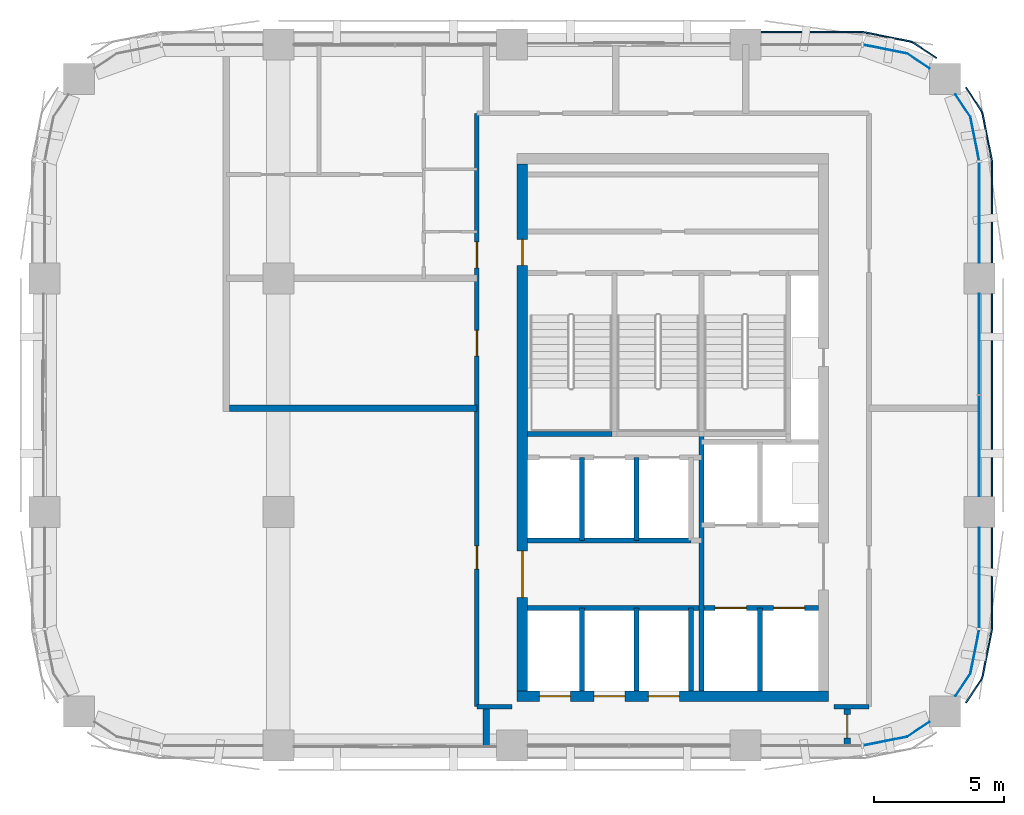
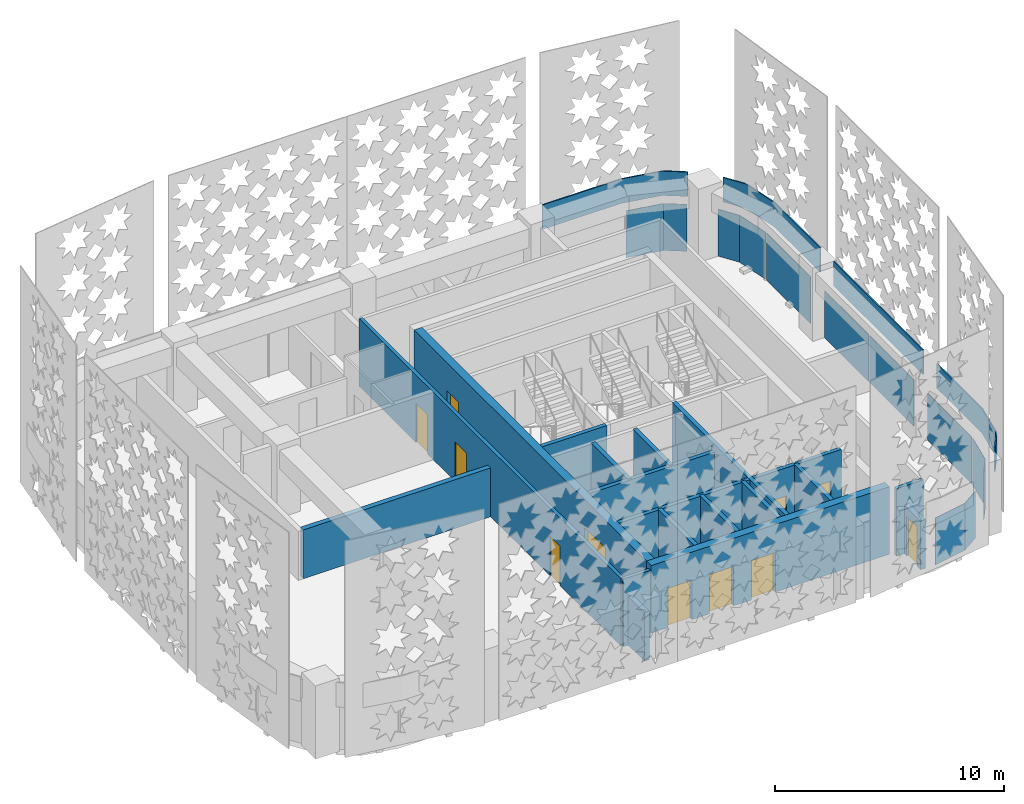
# One storey, part 7 of 15: 18 walls, 12 plates, 11 doors, 11 openings, 5 elements without a shape of their own.
"""IFC4 building model written with IfcOpenShell, lengths in metres."""

from ifc_helpers import new_model, si_unit, direction, frame, frame_2d, origin, origin_2d, place, context, subcontext, project, spatial, polyline, rectangle, outline, extrude, material, layer, layer_set, type_object, element, fill, aggregate, save


model = new_model("IFC4")

# Units and contexts
model_context = context("Model", 3, precision=1e-05, world=origin(), true_north=direction((0.0, 1.0)))
body_context = subcontext(model_context, "Body", "Model", "MODEL_VIEW")
ifc_project = project(units=[si_unit("LENGTHUNIT", "METRE"), si_unit("AREAUNIT", "SQUARE_METRE"), si_unit("VOLUMEUNIT", "CUBIC_METRE"), si_unit("PLANEANGLEUNIT", "RADIAN"), si_unit("MASSUNIT", "GRAM", prefix="KILO")], contexts=[model_context])

# Site, building, storey
site_placement = place(None, origin())
site = spatial("IfcSite", under=ifc_project, at=site_placement, CompositionType="ELEMENT")
building_placement = place(site_placement, origin())
building = spatial("IfcBuilding", under=site, at=building_placement, Name="Tessera Arch", CompositionType="ELEMENT")
storey_placement = place(building_placement, frame((0.0, 0.0, 257.89990234375)))
storey = spatial("IfcBuildingStorey", under=building, at=storey_placement, Name="L62", CompositionType="ELEMENT", Elevation=257.89990234375)

# Curtain wall, plates
ifc_material_1 = material(Name="CW1 curtain wall")
curtain_wall_type_1 = type_object("IfcCurtainWallType", Name="CW1 curtain wall", PredefinedType="NOTDEFINED", material=ifc_material_1)
curtain_wall_1_placement = place(storey_placement, origin())
curtain_wall_1 = element("IfcCurtainWall", 1, at=curtain_wall_1_placement, inside=storey, type_object=curtain_wall_type_1, Name="CW1 curtain wall E54.27/0 L62", PredefinedType="NOTDEFINED")
ifc_material_2 = material(Name="Clear low-e glass", Category="glass")
ifc_material_3 = material(Name="Clear low-e glass", Category="glass")
ifc_layer_1 = layer(ifc_material_3, 0.028076171875)
ifc_layer_set_1 = layer_set([ifc_layer_1], Name="CW1 glass panel")
plate_type_1 = type_object("IfcPlateType", Name="CW1 glass panel", PredefinedType="CURTAIN_PANEL", material=ifc_layer_set_1)
plate_1_placement = place(storey_placement, frame((54.0, 38.534912109375, 0.0), z_axis=(0.0, 0.0, 1.0), x_axis=(0.0, 1.0, 0.0)))
plate_1 = element("IfcPlate", 2, at=plate_1_placement, type_object=plate_type_1, material=ifc_material_2, Name="CW1 glass panel E54.27/0 1.1.1", PredefinedType="CURTAIN_PANEL", context=body_context, shape_type="SweptSolid", body=[
    extrude(rectangle(XDim=3.8701171875, YDim=0.028076171875, at=origin_2d()), origin(), (0.0, 0.0, 1.0), 2.5),
])
plate_2_placement = place(storey_placement, frame((54.0, 42.465087890625, 0.0), z_axis=(0.0, 0.0, 1.0), x_axis=(0.0, 1.0, 0.0)))
plate_2 = element("IfcPlate", 3, at=plate_2_placement, type_object=plate_type_1, material=ifc_material_2, Name="CW1 glass panel E54.27/0 1.2.1", PredefinedType="CURTAIN_PANEL", context=body_context, shape_type="SweptSolid", body=[
    extrude(rectangle(XDim=3.8701171875, YDim=0.028076171875, at=origin_2d()), origin(), (0.0, 0.0, 1.0), 2.5),
])
ifc_material_4 = material(Name="Pale anodised aluminium panel", Category="aluminium")
ifc_layer_2 = layer(ifc_material_4, 0.06005859375)
ifc_layer_set_2 = layer_set([ifc_layer_2], Name="CW1 spandrel panel")
plate_type_2 = type_object("IfcPlateType", Name="CW1 spandrel panel", PredefinedType="CURTAIN_PANEL", material=ifc_layer_set_2)
plate_3_placement = place(storey_placement, frame((54.47998046875, 40.5, 2.60009765625), z_axis=(0.0, 0.0, 1.0), x_axis=(0.0, 1.0, 0.0)))
plate_3 = element("IfcPlate", 4, at=plate_3_placement, type_object=plate_type_2, Name="CW1 spandrel panel E54.27/0", PredefinedType="CURTAIN_PANEL", context=body_context, shape_type="SweptSolid", body=[
    extrude(rectangle(XDim=7.800048828125, YDim=0.06005859375, at=origin_2d()), origin(), (0.0, 0.0, 1.0), 1.300048828125),
])
aggregate(curtain_wall_1, [plate_1, plate_2, plate_3])

ifc_material_5 = material(Name="CW2 curtain wall")
curtain_wall_type_2 = type_object("IfcCurtainWallType", Name="CW2 curtain wall", PredefinedType="NOTDEFINED", material=ifc_material_5)
curtain_wall_2_placement = place(storey_placement, origin())
curtain_wall_2 = element("IfcCurtainWall", 5, at=curtain_wall_2_placement, inside=storey, type_object=curtain_wall_type_2, Name="CW2 curtain wall E54.27/1 L62", PredefinedType="NOTDEFINED")
ifc_material_6 = material(Name="Clear low-e glass", Category="glass")
ifc_layer_3 = layer(ifc_material_6, 0.028076171875)
ifc_layer_set_3 = layer_set([ifc_layer_3], Name="CW2 glass panel")
plate_type_3 = type_object("IfcPlateType", Name="CW2 glass panel", PredefinedType="CURTAIN_PANEL", material=ifc_layer_set_3)
plate_4_placement = place(storey_placement, frame((54.0, 47.530029296875, 0.0), z_axis=(0.0, 0.0, 1.0), x_axis=(0.0, 1.0, 0.0)))
plate_4 = element("IfcPlate", 6, at=plate_4_placement, type_object=plate_type_3, material=ifc_material_2, Name="CW2 glass panel E54.27/1 1.1", PredefinedType="CURTAIN_PANEL", context=body_context, shape_type="SweptSolid", body=[
    extrude(rectangle(XDim=3.860107421875, YDim=0.028076171875, at=origin_2d()), origin(), (0.0, 0.0, 1.0), 2.5),
])
plate_5_placement = place(storey_placement, origin())
plate_5 = element("IfcPlate", 7, at=plate_5_placement, type_object=plate_type_3, material=ifc_material_2, Name="CW2 curved glass panel E54.27/1 2.1", PredefinedType="CURTAIN_PANEL", context=body_context, shape_type="SweptSolid", body=[
    extrude(outline(polyline([(53.644287109375, 51.216552734375), (53.978515625, 49.53662109375), (54.005859375, 49.5419921875), (53.670654296875, 51.2275390625), (53.094482421875, 52.08984375), (53.0712890625, 52.07421875), (53.644287109375, 51.216552734375)])), origin(), (0.0, 0.0, 1.0), 2.5),
])

# Curtain wall, plate
curtain_wall_3_placement = place(storey_placement, origin())
curtain_wall_3 = element("IfcCurtainWall", 8, at=curtain_wall_3_placement, inside=storey, type_object=curtain_wall_type_2, Name="CW2 curtain wall N54.18/0 L62", PredefinedType="NOTDEFINED")
plate_6_placement = place(storey_placement, origin())
plate_6 = element("IfcPlate", 9, at=plate_6_placement, type_object=plate_type_3, material=ifc_material_2, Name="CW2 curved glass panel N54.18/0 2.1", PredefinedType="CURTAIN_PANEL", context=body_context, shape_type="SweptSolid", body=[
    extrude(outline(polyline([(51.216552734375, 53.644287109375), (52.07421875, 53.0712890625), (52.08984375, 53.094482421875), (51.2275390625, 53.670654296875), (49.5419921875, 54.005859375), (49.53662109375, 53.978515625), (51.216552734375, 53.644287109375)])), origin(), (0.0, 0.0, 1.0), 2.5),
])

curtain_wall_4_placement = place(storey_placement, origin())
curtain_wall_4 = element("IfcCurtainWall", 10, at=curtain_wall_4_placement, inside=storey, type_object=curtain_wall_type_2, Name="CW2 curtain wall S27.18/3 L62", PredefinedType="NOTDEFINED")
plate_7_placement = place(storey_placement, origin())
plate_7 = element("IfcPlate", 11, at=plate_7_placement, type_object=plate_type_3, material=ifc_material_2, Name="CW2 curved glass panel S27.18/3 2.1", PredefinedType="CURTAIN_PANEL", context=body_context, shape_type="SweptSolid", body=[
    extrude(outline(polyline([(51.216552734375, 27.355712890625), (49.53662109375, 27.021484375), (49.5419921875, 26.994140625), (51.2275390625, 27.329345703125), (52.08984375, 27.905517578125), (52.07421875, 27.9287109375), (51.216552734375, 27.355712890625)])), origin(), (0.0, 0.0, 1.0), 2.5),
])
aggregate(curtain_wall_4, [plate_7])

# Curtain wall, plates
curtain_wall_5_placement = place(storey_placement, origin())
curtain_wall_5 = element("IfcCurtainWall", 12, at=curtain_wall_5_placement, inside=storey, type_object=curtain_wall_type_2, Name="CW2 curtain wall E54.27/2 L62", PredefinedType="NOTDEFINED")
plate_8_placement = place(storey_placement, frame((54.0, 33.469970703125, 0.0), z_axis=(0.0, 0.0, 1.0), x_axis=(0.0, 1.0, 0.0)))
plate_8 = element("IfcPlate", 13, at=plate_8_placement, type_object=plate_type_3, material=ifc_material_2, Name="CW2 glass panel E54.27/2 1.1", PredefinedType="CURTAIN_PANEL", context=body_context, shape_type="SweptSolid", body=[
    extrude(rectangle(XDim=3.860107421875, YDim=0.028076171875, at=origin_2d()), origin(), (0.0, 0.0, 1.0), 2.5),
])
plate_9_placement = place(storey_placement, origin())
plate_9 = element("IfcPlate", 14, at=plate_9_placement, type_object=plate_type_3, material=ifc_material_2, Name="CW2 curved glass panel E54.27/2 2.1", PredefinedType="CURTAIN_PANEL", context=body_context, shape_type="SweptSolid", body=[
    extrude(outline(polyline([(53.644287109375, 29.783447265625), (53.0712890625, 28.92578125), (53.094482421875, 28.91015625), (53.670654296875, 29.7724609375), (54.005859375, 31.4580078125), (53.978515625, 31.46337890625), (53.644287109375, 29.783447265625)])), origin(), (0.0, 0.0, 1.0), 2.5),
])

# Plate
ifc_material_7 = material(Name="Pale anodised aluminium panel", Category="aluminium")
ifc_layer_4 = layer(ifc_material_7, 0.06005859375)
ifc_layer_set_4 = layer_set([ifc_layer_4], Name="CW2 spandrel panel")
plate_type_4 = type_object("IfcPlateType", Name="CW2 spandrel panel", PredefinedType="CURTAIN_PANEL", material=ifc_layer_set_4)
plate_10_placement = place(storey_placement, frame((0.0, 0.0, 2.60009765625)))
plate_10 = element("IfcPlate", 15, at=plate_10_placement, type_object=plate_type_4, Name="CW2 spandrel panel E54.27/1", PredefinedType="CURTAIN_PANEL", context=body_context, shape_type="SweptSolid", body=[
    extrude(outline(polyline([(54.449951171875, 49.499267578125), (54.449951171875, 45.60009765625), (54.510009765625, 45.60009765625), (54.510009765625, 49.500732421875), (54.507568359375, 49.550048828125), (54.500244140625, 49.598876953125), (54.157470703125, 51.322265625), (54.1455078125, 51.3701171875), (54.128662109375, 51.417236328125), (54.107421875, 51.462646484375), (54.08203125, 51.5048828125), (53.5068359375, 52.365234375), (53.45703125, 52.33203125), (54.03125, 51.47265625), (54.054443359375, 51.434326171875), (54.0732421875, 51.394287109375), (54.088134765625, 51.352783203125), (54.09912109375, 51.30908203125), (54.441162109375, 49.588623046875), (54.44775390625, 49.544189453125), (54.449951171875, 49.499267578125)])), origin(), (0.0, 0.0, 1.0), 1.300048828125),
])

aggregate(curtain_wall_2, [plate_4, plate_5, plate_10])

plate_11_placement = place(storey_placement, frame((0.0, 0.0, 2.60009765625)))
plate_11 = element("IfcPlate", 16, at=plate_11_placement, type_object=plate_type_4, Name="CW2 spandrel panel N54.18/0", PredefinedType="CURTAIN_PANEL", context=body_context, shape_type="SweptSolid", body=[
    extrude(outline(polyline([(51.47265625, 54.03125), (52.33203125, 53.45703125), (52.365234375, 53.5068359375), (51.5048828125, 54.08203125), (51.462646484375, 54.107421875), (51.417236328125, 54.128662109375), (51.3701171875, 54.1455078125), (51.322265625, 54.157470703125), (49.598876953125, 54.500244140625), (49.550048828125, 54.507568359375), (49.500732421875, 54.510009765625), (45.60009765625, 54.510009765625), (45.60009765625, 54.449951171875), (49.499267578125, 54.449951171875), (49.544189453125, 54.44775390625), (49.588623046875, 54.441162109375), (51.30908203125, 54.09912109375), (51.352783203125, 54.088134765625), (51.394287109375, 54.0732421875), (51.434326171875, 54.054443359375), (51.47265625, 54.03125)])), origin(), (0.0, 0.0, 1.0), 1.300048828125),
])

aggregate(curtain_wall_3, [plate_6, plate_11])

plate_12_placement = place(storey_placement, frame((0.0, 0.0, 2.60009765625)))
plate_12 = element("IfcPlate", 17, at=plate_12_placement, type_object=plate_type_4, Name="CW2 spandrel panel E54.27/2", PredefinedType="CURTAIN_PANEL", context=body_context, shape_type="SweptSolid", body=[
    extrude(outline(polyline([(54.03125, 29.52734375), (53.45703125, 28.66796875), (53.5068359375, 28.634765625), (54.08203125, 29.4951171875), (54.107421875, 29.537353515625), (54.128662109375, 29.582763671875), (54.1455078125, 29.6298828125), (54.157470703125, 29.677734375), (54.500244140625, 31.401123046875), (54.507568359375, 31.449951171875), (54.510009765625, 31.499267578125), (54.510009765625, 35.39990234375), (54.449951171875, 35.39990234375), (54.449951171875, 31.500732421875), (54.44775390625, 31.455810546875), (54.441162109375, 31.411376953125), (54.09912109375, 29.69091796875), (54.088134765625, 29.647216796875), (54.0732421875, 29.605712890625), (54.054443359375, 29.565673828125), (54.03125, 29.52734375)])), origin(), (0.0, 0.0, 1.0), 1.300048828125),
])

aggregate(curtain_wall_5, [plate_8, plate_9, plate_12])

# Wall, openings, doors
ifc_material_8 = material(Name="Concrete C50/60", Category="concrete")
ifc_layer_5 = layer(ifc_material_8, 0.39990234375)
ifc_layer_set_5 = layer_set([ifc_layer_5], Name="Core shell wall 400 C50-60")
wall_type_1 = type_object("IfcWallType", Name="Core shell wall 400 C50-60", PredefinedType="SHEAR", material=ifc_layer_set_5)
wall_1_placement = place(storey_placement, frame((36.199951171875, 28.89990234375, 0.0), z_axis=(0.0, 0.0, 1.0), x_axis=(1.0, 0.0, 0.0)))
wall_1 = element("IfcWall", 18, at=wall_1_placement, inside=storey, type_object=wall_type_1, Name="L62 C1 core wall S", PredefinedType="SHEAR", context=body_context, shape_type="SweptSolid", body=[
    extrude(rectangle(XDim=12.0, YDim=0.39990234375, at=frame_2d((6.0, 0.0))), origin(), (0.0, 0.0, 1.0), 3.60009765625),
])
opening_1_placement = place(wall_1_placement, frame((0.85009765625, 0.0, 0.0)))
opening_1 = element("IfcOpeningElement", 19, at=opening_1_placement, cuts=wall_1, Name="Opening L62-C01", PredefinedType="OPENING", context=body_context, shape_type="SweptSolid", body=[
    extrude(rectangle(XDim=1.199951171875, YDim=2.10009765625, at=frame_2d((0.60009765625, 1.050048828125))), frame((0.0, 0.2099609375, 0.0), z_axis=(0.0, -1.0, 0.0), x_axis=(1.0, 0.0, 0.0)), (0.0, 0.0, 1.0), 0.419921875),
])
opening_2_placement = place(wall_1_placement, frame((2.949951171875, 0.0, 0.0)))
opening_2 = element("IfcOpeningElement", 20, at=opening_2_placement, cuts=wall_1, Name="Opening L62-C03", PredefinedType="OPENING", context=body_context, shape_type="SweptSolid", body=[
    extrude(rectangle(XDim=1.199951171875, YDim=2.10009765625, at=frame_2d((0.60009765625, 1.050048828125))), frame((0.0, 0.2099609375, 0.0), z_axis=(0.0, -1.0, 0.0), x_axis=(1.0, 0.0, 0.0)), (0.0, 0.0, 1.0), 0.419921875),
])
opening_3_placement = place(wall_1_placement, frame((5.050048828125, 0.0, 0.0)))
opening_3 = element("IfcOpeningElement", 21, at=opening_3_placement, cuts=wall_1, Name="Opening L62-C05", PredefinedType="OPENING", context=body_context, shape_type="SweptSolid", body=[
    extrude(rectangle(XDim=1.199951171875, YDim=2.10009765625, at=frame_2d((0.60009765625, 1.050048828125))), frame((0.0, 0.2099609375, 0.0), z_axis=(0.0, -1.0, 0.0), x_axis=(1.0, 0.0, 0.0)), (0.0, 0.0, 1.0), 0.419921875),
])
ifc_material_9 = material(Name="Stainless steel AISI 304", Category="steel")
door_type_1 = type_object("IfcDoorType", Name="Sliding landing door 1200 x 2100", OperationType="SLIDING_TO_LEFT", PredefinedType="DOOR", material=ifc_material_9)
door_1_placement = place(opening_1_placement, origin())
door_1 = element("IfcDoor", 22, at=door_1_placement, inside=storey, type_object=door_type_1, Name="L62 HR1 lift landing door C01 type LD", OperationType="SLIDING_TO_LEFT", OverallHeight=2.10009765625, OverallWidth=1.199951171875, PredefinedType="DOOR", context=body_context, shape_type="SweptSolid", body=[
    extrude(rectangle(XDim=1.199951171875, YDim=2.10009765625, at=frame_2d((0.60009765625, 1.050048828125))), frame((0.0, 0.02490234375, 0.0), z_axis=(0.0, -1.0, 0.0), x_axis=(1.0, 0.0, 0.0)), (0.0, 0.0, 1.0), 0.050048828125),
])
fill(opening_1, door_1)
door_2_placement = place(opening_2_placement, origin())
door_2 = element("IfcDoor", 23, at=door_2_placement, inside=storey, type_object=door_type_1, Name="L62 HR2 lift landing door C03 type LD", OperationType="SLIDING_TO_LEFT", OverallHeight=2.10009765625, OverallWidth=1.199951171875, PredefinedType="DOOR", context=body_context, shape_type="SweptSolid", body=[
    extrude(rectangle(XDim=1.199951171875, YDim=2.10009765625, at=frame_2d((0.60009765625, 1.050048828125))), frame((0.0, 0.02490234375, 0.0), z_axis=(0.0, -1.0, 0.0), x_axis=(1.0, 0.0, 0.0)), (0.0, 0.0, 1.0), 0.050048828125),
])
fill(opening_2, door_2)
door_3_placement = place(opening_3_placement, origin())
door_3 = element("IfcDoor", 24, at=door_3_placement, inside=storey, type_object=door_type_1, Name="L62 HR3 lift landing door C05 type LD", OperationType="SLIDING_TO_LEFT", OverallHeight=2.10009765625, OverallWidth=1.199951171875, PredefinedType="DOOR", context=body_context, shape_type="SweptSolid", body=[
    extrude(rectangle(XDim=1.199951171875, YDim=2.10009765625, at=frame_2d((0.60009765625, 1.050048828125))), frame((0.0, 0.02490234375, 0.0), z_axis=(0.0, -1.0, 0.0), x_axis=(1.0, 0.0, 0.0)), (0.0, 0.0, 1.0), 0.050048828125),
])
fill(opening_3, door_3)

wall_2_placement = place(storey_placement, frame((36.39990234375, 29.10009765625, 0.0), z_axis=(0.0, 0.0, 1.0), x_axis=(0.0, 1.0, 0.0)))
wall_2 = element("IfcWall", 25, at=wall_2_placement, inside=storey, type_object=wall_type_1, Name="L62 C1 core wall W", PredefinedType="SHEAR", context=body_context, shape_type="SweptSolid", body=[
    extrude(rectangle(XDim=20.2998046875, YDim=0.39990234375, at=frame_2d((10.14990234375, 0.0))), origin(), (0.0, 0.0, 1.0), 3.60009765625),
])
opening_4_placement = place(wall_2_placement, frame((3.60009765625, 0.0, 0.0)))
opening_4 = element("IfcOpeningElement", 26, at=opening_4_placement, cuts=wall_2, Name="Opening L62-C10", PredefinedType="OPENING", context=body_context, shape_type="SweptSolid", body=[
    extrude(rectangle(XDim=1.800048828125, YDim=2.10009765625, at=frame_2d((0.89990234375, 1.050048828125))), frame((0.0, 0.2099609375, 0.0), z_axis=(0.0, -1.0, 0.0), x_axis=(1.0, 0.0, 0.0)), (0.0, 0.0, 1.0), 0.419921875),
])
opening_5_placement = place(wall_2_placement, frame((16.39990234375, 0.0, 0.0)))
opening_5 = element("IfcOpeningElement", 27, at=opening_5_placement, cuts=wall_2, Name="Opening L62-C17", PredefinedType="OPENING", context=body_context, shape_type="SweptSolid", body=[
    extrude(rectangle(XDim=1.0, YDim=2.10009765625, at=frame_2d((0.5, 1.050048828125))), frame((0.0, 0.2099609375, 0.0), z_axis=(0.0, -1.0, 0.0), x_axis=(1.0, 0.0, 0.0)), (0.0, 0.0, 1.0), 0.419921875),
])
ifc_material_10 = material(Name="Steel door leaf", Category="steel")
door_type_2 = type_object("IfcDoorType", Name="Corridor door FD60 1000 x 2100", OperationType="SINGLE_SWING_LEFT", PredefinedType="DOOR", material=ifc_material_10)
door_4_placement = place(opening_5_placement, origin())
door_4 = element("IfcDoor", 28, at=door_4_placement, inside=storey, type_object=door_type_2, Name="L62 C1 door 17 C17 type D12", OperationType="SINGLE_SWING_RIGHT", OverallHeight=2.10009765625, OverallWidth=1.0, PredefinedType="DOOR", context=body_context, shape_type="SweptSolid", body=[
    extrude(rectangle(XDim=1.0, YDim=2.10009765625, at=frame_2d((0.5, 1.050048828125))), frame((0.0, 0.02490234375, 0.0), z_axis=(0.0, -1.0, 0.0), x_axis=(1.0, 0.0, 0.0)), (0.0, 0.0, 1.0), 0.050048828125),
])
fill(opening_5, door_4)
ifc_material_11 = material(Name="Glazed steel door leaf", Category="steel")
door_type_3 = type_object("IfcDoorType", Name="Lobby double door FD30S 1800 x 2100", OperationType="DOUBLE_DOOR_SINGLE_SWING", PredefinedType="DOOR", material=ifc_material_11)
door_5_placement = place(opening_4_placement, origin())
door_5 = element("IfcDoor", 29, at=door_5_placement, inside=storey, type_object=door_type_3, Name="L62 C1 door 10 C10 type D06", OperationType="DOUBLE_DOOR_SINGLE_SWING", OverallHeight=2.10009765625, OverallWidth=1.800048828125, PredefinedType="DOOR", context=body_context, shape_type="SweptSolid", body=[
    extrude(rectangle(XDim=1.800048828125, YDim=2.10009765625, at=frame_2d((0.89990234375, 1.050048828125))), frame((0.0, 0.02490234375, 0.0), z_axis=(0.0, -1.0, 0.0), x_axis=(1.0, 0.0, 0.0)), (0.0, 0.0, 1.0), 0.050048828125),
])
fill(opening_4, door_5)

# Walls
ifc_material_12 = material(Name="Gypsum board on deep steel stud with mineral wool", Category="steel")
ifc_layer_6 = layer(ifc_material_12, 0.175048828125)
ifc_layer_set_6 = layer_set([ifc_layer_6], Name="Corridor wall 175 EI 60")
wall_type_2 = type_object("IfcWallType", Name="Corridor wall 175 EI 60", PredefinedType="PARTITIONING", material=ifc_layer_set_6)
for number, where, z_axis, x_axis, name in (
    (30, (34.64990234375, 28.5, 0.0), (0.0, 0.0, 1.0), (1.0, 0.0, 0.0), "L62 partition 1"),
    (31, (48.39990234375, 28.5, 0.0), (0.0, 0.0, 1.0), (1.0, 0.0, 0.0), "L62 partition 2"),
):
    element("IfcWall", number, at=place(storey_placement, frame(where, z_axis=z_axis, x_axis=x_axis)), inside=storey, type_object=wall_type_2, Name=name, PredefinedType="PARTITIONING", context=body_context, shape_type="SweptSolid", body=[
        extrude(rectangle(XDim=1.35009765625, YDim=0.175048828125, at=frame_2d((0.675048828125, 0.0))), origin(), (0.0, 0.0, 1.0), 3.60009765625),
    ])

# Wall, openings, doors
wall_3_placement = place(storey_placement, frame((34.64990234375, 28.5, 0.0), z_axis=(0.0, 0.0, 1.0), x_axis=(0.0, 1.0, 0.0)))
wall_3 = element("IfcWall", 32, at=wall_3_placement, inside=storey, type_object=wall_type_2, Name="L62 partition 4", PredefinedType="PARTITIONING", context=body_context, shape_type="SweptSolid", body=[
    extrude(rectangle(XDim=22.85009765625, YDim=0.175048828125, at=frame_2d((11.425048828125, 0.0))), origin(), (0.0, 0.0, 1.0), 3.60009765625),
])
opening_6_placement = place(wall_3_placement, frame((5.300048828125, 0.0, 0.0)))
opening_6 = element("IfcOpeningElement", 33, at=opening_6_placement, cuts=wall_3, Name="Opening L62-D002", PredefinedType="OPENING", context=body_context, shape_type="SweptSolid", body=[
    extrude(rectangle(XDim=0.89990234375, YDim=2.10009765625, at=frame_2d((0.449951171875, 1.050048828125))), frame((0.0, 0.097412109375, 0.0), z_axis=(0.0, -1.0, 0.0), x_axis=(1.0, 0.0, 0.0)), (0.0, 0.0, 1.0), 0.195068359375),
])
opening_7_placement = place(wall_3_placement, frame((13.5, 0.0, 0.0)))
opening_7 = element("IfcOpeningElement", 34, at=opening_7_placement, cuts=wall_3, Name="Opening L62-D003", PredefinedType="OPENING", context=body_context, shape_type="SweptSolid", body=[
    extrude(rectangle(XDim=1.0, YDim=2.10009765625, at=frame_2d((0.5, 1.050048828125))), frame((0.0, 0.097412109375, 0.0), z_axis=(0.0, -1.0, 0.0), x_axis=(1.0, 0.0, 0.0)), (0.0, 0.0, 1.0), 0.195068359375),
])
opening_8_placement = place(wall_3_placement, frame((16.89990234375, 0.0, 0.0)))
opening_8 = element("IfcOpeningElement", 35, at=opening_8_placement, cuts=wall_3, Name="Opening L62-D005", PredefinedType="OPENING", context=body_context, shape_type="SweptSolid", body=[
    extrude(rectangle(XDim=1.0, YDim=2.10009765625, at=frame_2d((0.5, 1.050048828125))), frame((0.0, 0.097412109375, 0.0), z_axis=(0.0, -1.0, 0.0), x_axis=(1.0, 0.0, 0.0)), (0.0, 0.0, 1.0), 0.195068359375),
])
ifc_material_13 = material(Name="Fire-rated door leaf")
door_type_4 = type_object("IfcDoorType", Name="Entrance door FD30S 1000 x 2100", OperationType="SINGLE_SWING_LEFT", PredefinedType="DOOR", material=ifc_material_13)
door_6_placement = place(opening_7_placement, origin())
door_6 = element("IfcDoor", 36, at=door_6_placement, inside=storey, type_object=door_type_4, Name="L62 door D003 type D03", OperationType="SINGLE_SWING_RIGHT", OverallHeight=2.10009765625, OverallWidth=1.0, PredefinedType="DOOR", context=body_context, shape_type="SweptSolid", body=[
    extrude(rectangle(XDim=1.0, YDim=2.10009765625, at=frame_2d((0.5, 1.050048828125))), frame((0.0, 0.02490234375, 0.0), z_axis=(0.0, -1.0, 0.0), x_axis=(1.0, 0.0, 0.0)), (0.0, 0.0, 1.0), 0.050048828125),
])
fill(opening_7, door_6)
door_7_placement = place(opening_8_placement, origin())
door_7 = element("IfcDoor", 37, at=door_7_placement, inside=storey, type_object=door_type_4, Name="L62 door D005 type D03", OperationType="SINGLE_SWING_RIGHT", OverallHeight=2.10009765625, OverallWidth=1.0, PredefinedType="DOOR", context=body_context, shape_type="SweptSolid", body=[
    extrude(rectangle(XDim=1.0, YDim=2.10009765625, at=frame_2d((0.5, 1.050048828125))), frame((0.0, 0.02490234375, 0.0), z_axis=(0.0, -1.0, 0.0), x_axis=(1.0, 0.0, 0.0)), (0.0, 0.0, 1.0), 0.050048828125),
])
fill(opening_8, door_7)
ifc_material_14 = material(Name="Timber door leaf", Category="wood")
door_type_5 = type_object("IfcDoorType", Name="Room door 900 x 2100", OperationType="SINGLE_SWING_LEFT", PredefinedType="DOOR", material=ifc_material_14)
door_8_placement = place(opening_6_placement, origin())
door_8 = element("IfcDoor", 38, at=door_8_placement, inside=storey, type_object=door_type_5, Name="L62 door D002 type D01", OperationType="SINGLE_SWING_LEFT", OverallHeight=2.10009765625, OverallWidth=0.89990234375, PredefinedType="DOOR", context=body_context, shape_type="SweptSolid", body=[
    extrude(rectangle(XDim=0.89990234375, YDim=2.10009765625, at=frame_2d((0.449951171875, 1.050048828125))), frame((0.0, 0.02490234375, 0.0), z_axis=(0.0, -1.0, 0.0), x_axis=(1.0, 0.0, 0.0)), (0.0, 0.0, 1.0), 0.050048828125),
])
fill(opening_6, door_8)

# Walls
ifc_material_15 = material(Name="Double gypsum board on twin steel stud with acoustic mineral wool", Category="steel")
ifc_layer_7 = layer(ifc_material_15, 0.25)
ifc_layer_set_7 = layer_set([ifc_layer_7], Name="Party wall 250 EI 60")
wall_type_3 = type_object("IfcWallType", Name="Party wall 250 EI 60", PredefinedType="PARTITIONING", material=ifc_layer_set_7)
wall_4_placement = place(storey_placement, frame((25.125, 40.0, 0.0), z_axis=(0.0, 0.0, 1.0), x_axis=(1.0, 0.0, 0.0)))
element("IfcWall", 39, at=wall_4_placement, inside=storey, type_object=wall_type_3, Name="L62 partition 10", PredefinedType="PARTITIONING", context=body_context, shape_type="SweptSolid", body=[
    extrude(rectangle(XDim=9.52490234375, YDim=0.25, at=frame_2d((4.762451171875, 0.0))), origin(), (0.0, 0.0, 1.0), 2.60009765625),
])
wall_5_placement = place(storey_placement, frame((35.0, 27.0, 0.0), z_axis=(0.0, 0.0, 1.0), x_axis=(0.0, 1.0, 0.0)))
element("IfcWall", 40, at=wall_5_placement, inside=storey, type_object=wall_type_3, Name="L62 partition 14", PredefinedType="PARTITIONING", context=body_context, shape_type="SweptSolid", body=[
    extrude(rectangle(XDim=1.5, YDim=0.25, at=frame_2d((0.75, 0.0))), origin(), (0.0, 0.0, 1.0), 2.60009765625),
])

# Wall, opening, door
wall_6_placement = place(storey_placement, frame((48.910888671875, 27.0, 0.0), z_axis=(0.0, 0.0, 1.0), x_axis=(0.0, 1.0, 0.0)))
wall_6 = element("IfcWall", 41, at=wall_6_placement, inside=storey, type_object=wall_type_3, Name="L62 partition 18", PredefinedType="PARTITIONING", context=body_context, shape_type="SweptSolid", body=[
    extrude(rectangle(XDim=1.5, YDim=0.25, at=frame_2d((0.75, 0.0))), origin(), (0.0, 0.0, 1.0), 2.60009765625),
])
opening_9_placement = place(wall_6_placement, frame((0.300048828125, 0.0, 0.0)))
opening_9 = element("IfcOpeningElement", 42, at=opening_9_placement, cuts=wall_6, Name="Opening L62-D014", PredefinedType="OPENING", context=body_context, shape_type="SweptSolid", body=[
    extrude(rectangle(XDim=0.89990234375, YDim=2.10009765625, at=frame_2d((0.449951171875, 1.050048828125))), frame((0.0, 0.135009765625, 0.0), z_axis=(0.0, -1.0, 0.0), x_axis=(1.0, 0.0, 0.0)), (0.0, 0.0, 1.0), 0.27001953125),
])
door_9_placement = place(opening_9_placement, origin())
door_9 = element("IfcDoor", 43, at=door_9_placement, inside=storey, type_object=door_type_5, Name="L62 door D014 type D01", OperationType="SINGLE_SWING_RIGHT", OverallHeight=2.10009765625, OverallWidth=0.89990234375, PredefinedType="DOOR", context=body_context, shape_type="SweptSolid", body=[
    extrude(rectangle(XDim=0.89990234375, YDim=2.10009765625, at=frame_2d((0.449951171875, 1.050048828125))), frame((0.0, 0.02490234375, 0.0), z_axis=(0.0, -1.0, 0.0), x_axis=(1.0, 0.0, 0.0)), (0.0, 0.0, 1.0), 0.050048828125),
])
fill(opening_9, door_9)

# Walls
ifc_material_16 = material(Name="Concrete C40/50", Category="concrete")
ifc_layer_8 = layer(ifc_material_16, 0.199951171875)
ifc_layer_set_8 = layer_set([ifc_layer_8], Name="Shaft wall 200 EI 120")
wall_type_4 = type_object("IfcWallType", Name="Shaft wall 200 EI 120", PredefinedType="SOLIDWALL", material=ifc_layer_set_8)
wall_7_placement = place(storey_placement, frame((38.699951171875, 29.10009765625, 0.0), z_axis=(0.0, 0.0, 1.0), x_axis=(0.0, 1.0, 0.0)))
element("IfcWall", 44, at=wall_7_placement, inside=storey, type_object=wall_type_4, Name="L62 C1 shaft wall 1", PredefinedType="SOLIDWALL", context=body_context, shape_type="SweptSolid", body=[
    extrude(rectangle(XDim=3.199951171875, YDim=0.199951171875, at=frame_2d((1.60009765625, 0.0))), origin(), (0.0, 0.0, 1.0), 3.60009765625),
])
wall_8_placement = place(storey_placement, frame((38.699951171875, 34.89990234375, 0.0), z_axis=(0.0, 0.0, 1.0), x_axis=(0.0, 1.0, 0.0)))
element("IfcWall", 45, at=wall_8_placement, inside=storey, type_object=wall_type_4, Name="L62 C1 shaft wall 2", PredefinedType="SOLIDWALL", context=body_context, shape_type="SweptSolid", body=[
    extrude(rectangle(XDim=3.2001953125, YDim=0.199951171875, at=frame_2d((1.60009765625, 0.0))), origin(), (0.0, 0.0, 1.0), 3.60009765625),
])
wall_9_placement = place(storey_placement, frame((40.800048828125, 29.10009765625, 0.0), z_axis=(0.0, 0.0, 1.0), x_axis=(0.0, 1.0, 0.0)))
element("IfcWall", 46, at=wall_9_placement, inside=storey, type_object=wall_type_4, Name="L62 C1 shaft wall 5", PredefinedType="SOLIDWALL", context=body_context, shape_type="SweptSolid", body=[
    extrude(rectangle(XDim=3.199951171875, YDim=0.199951171875, at=frame_2d((1.60009765625, 0.0))), origin(), (0.0, 0.0, 1.0), 3.60009765625),
])
wall_10_placement = place(storey_placement, frame((40.800048828125, 34.89990234375, 0.0), z_axis=(0.0, 0.0, 1.0), x_axis=(0.0, 1.0, 0.0)))
element("IfcWall", 47, at=wall_10_placement, inside=storey, type_object=wall_type_4, Name="L62 C1 shaft wall 6", PredefinedType="SOLIDWALL", context=body_context, shape_type="SweptSolid", body=[
    extrude(rectangle(XDim=3.2001953125, YDim=0.199951171875, at=frame_2d((1.60009765625, 0.0))), origin(), (0.0, 0.0, 1.0), 3.60009765625),
])
wall_11_placement = place(storey_placement, frame((42.89990234375, 29.10009765625, 0.0), z_axis=(0.0, 0.0, 1.0), x_axis=(0.0, 1.0, 0.0)))
element("IfcWall", 48, at=wall_11_placement, inside=storey, type_object=wall_type_4, Name="L62 C1 shaft wall 7", PredefinedType="SOLIDWALL", context=body_context, shape_type="SweptSolid", body=[
    extrude(rectangle(XDim=3.199951171875, YDim=0.199951171875, at=frame_2d((1.60009765625, 0.0))), origin(), (0.0, 0.0, 1.0), 3.60009765625),
])
wall_12_placement = place(storey_placement, frame((43.300048828125, 29.10009765625, 0.0), z_axis=(0.0, 0.0, 1.0), x_axis=(0.0, 1.0, 0.0)))
element("IfcWall", 49, at=wall_12_placement, inside=storey, type_object=wall_type_4, Name="L62 C1 shaft wall 9", PredefinedType="SOLIDWALL", context=body_context, shape_type="SweptSolid", body=[
    extrude(rectangle(XDim=9.89990234375, YDim=0.199951171875, at=frame_2d((4.949951171875, 0.0))), origin(), (0.0, 0.0, 1.0), 3.60009765625),
])
wall_13_placement = place(storey_placement, frame((45.550048828125, 29.10009765625, 0.0), z_axis=(0.0, 0.0, 1.0), x_axis=(0.0, 1.0, 0.0)))
element("IfcWall", 50, at=wall_13_placement, inside=storey, type_object=wall_type_4, Name="L62 C1 shaft wall 12", PredefinedType="SOLIDWALL", context=body_context, shape_type="SweptSolid", body=[
    extrude(rectangle(XDim=3.199951171875, YDim=0.199951171875, at=frame_2d((1.60009765625, 0.0))), origin(), (0.0, 0.0, 1.0), 3.60009765625),
])

# Wall, openings, doors
wall_14_placement = place(storey_placement, frame((36.60009765625, 32.300048828125, 0.0), z_axis=(0.0, 0.0, 1.0), x_axis=(1.0, 0.0, 0.0)))
wall_14 = element("IfcWall", 51, at=wall_14_placement, inside=storey, type_object=wall_type_4, Name="L62 C1 shaft wall 17", PredefinedType="SOLIDWALL", context=body_context, shape_type="SweptSolid", body=[
    extrude(rectangle(XDim=11.199951171875, YDim=0.199951171875, at=frame_2d((5.60009765625, 0.0))), origin(), (0.0, 0.0, 1.0), 3.60009765625),
])
opening_10_placement = place(wall_14_placement, frame((7.22509765625, 0.0, 0.0)))
opening_10 = element("IfcOpeningElement", 52, at=opening_10_placement, cuts=wall_14, Name="Opening L62-C07", PredefinedType="OPENING", context=body_context, shape_type="SweptSolid", body=[
    extrude(rectangle(XDim=1.199951171875, YDim=2.10009765625, at=frame_2d((0.60009765625, 1.050048828125))), frame((0.0, 0.10986328125, 0.0), z_axis=(0.0, -1.0, 0.0), x_axis=(1.0, 0.0, 0.0)), (0.0, 0.0, 1.0), 0.219970703125),
])
opening_11_placement = place(wall_14_placement, frame((9.47509765625, 0.0, 0.0)))
opening_11 = element("IfcOpeningElement", 53, at=opening_11_placement, cuts=wall_14, Name="Opening L62-C08", PredefinedType="OPENING", context=body_context, shape_type="SweptSolid", body=[
    extrude(rectangle(XDim=1.199951171875, YDim=2.10009765625, at=frame_2d((0.60009765625, 1.050048828125))), frame((0.0, 0.10986328125, 0.0), z_axis=(0.0, -1.0, 0.0), x_axis=(1.0, 0.0, 0.0)), (0.0, 0.0, 1.0), 0.219970703125),
])
door_10_placement = place(opening_10_placement, origin())
door_10 = element("IfcDoor", 54, at=door_10_placement, inside=storey, type_object=door_type_1, Name="L62 FF1 lift landing door C07 type LD", OperationType="SLIDING_TO_LEFT", OverallHeight=2.10009765625, OverallWidth=1.199951171875, PredefinedType="DOOR", context=body_context, shape_type="SweptSolid", body=[
    extrude(rectangle(XDim=1.199951171875, YDim=2.10009765625, at=frame_2d((0.60009765625, 1.050048828125))), frame((0.0, 0.02490234375, 0.0), z_axis=(0.0, -1.0, 0.0), x_axis=(1.0, 0.0, 0.0)), (0.0, 0.0, 1.0), 0.050048828125),
])
fill(opening_10, door_10)
door_11_placement = place(opening_11_placement, origin())
door_11 = element("IfcDoor", 55, at=door_11_placement, inside=storey, type_object=door_type_1, Name="L62 FF2 lift landing door C08 type LD", OperationType="SLIDING_TO_LEFT", OverallHeight=2.10009765625, OverallWidth=1.199951171875, PredefinedType="DOOR", context=body_context, shape_type="SweptSolid", body=[
    extrude(rectangle(XDim=1.199951171875, YDim=2.10009765625, at=frame_2d((0.60009765625, 1.050048828125))), frame((0.0, 0.02490234375, 0.0), z_axis=(0.0, -1.0, 0.0), x_axis=(1.0, 0.0, 0.0)), (0.0, 0.0, 1.0), 0.050048828125),
])
fill(opening_11, door_11)

# Walls
wall_15_placement = place(storey_placement, frame((36.60009765625, 34.89990234375, 0.0), z_axis=(0.0, 0.0, 1.0), x_axis=(1.0, 0.0, 0.0)))
element("IfcWall", 56, at=wall_15_placement, inside=storey, type_object=wall_type_4, Name="L62 C1 shaft wall 19", PredefinedType="SOLIDWALL", context=body_context, shape_type="SweptSolid", body=[
    extrude(rectangle(XDim=6.2998046875, YDim=0.199951171875, at=frame_2d((3.14990234375, 0.0))), origin(), (0.0, 0.0, 1.0), 3.60009765625),
])
ifc_material_17 = material(Name="Concrete C40/50", Category="concrete")
ifc_layer_9 = layer(ifc_material_17, 0.199951171875)
ifc_layer_set_9 = layer_set([ifc_layer_9], Name="Stair well wall 200 REI 180")
wall_type_5 = type_object("IfcWallType", Name="Stair well wall 200 REI 180", PredefinedType="SOLIDWALL", material=ifc_layer_set_9)
wall_16_placement = place(storey_placement, frame((36.60009765625, 39.0, 0.0), z_axis=(0.0, 0.0, 1.0), x_axis=(1.0, 0.0, 0.0)))
element("IfcWall", 57, at=wall_16_placement, inside=storey, type_object=wall_type_5, Name="L62 C1 shaft wall 23", PredefinedType="SOLIDWALL", context=body_context, shape_type="SweptSolid", body=[
    extrude(rectangle(XDim=3.25, YDim=0.199951171875, at=frame_2d((1.625, 0.0))), origin(), (0.0, 0.0, 1.0), 3.60009765625),
])

save(model, "model.ifc")
